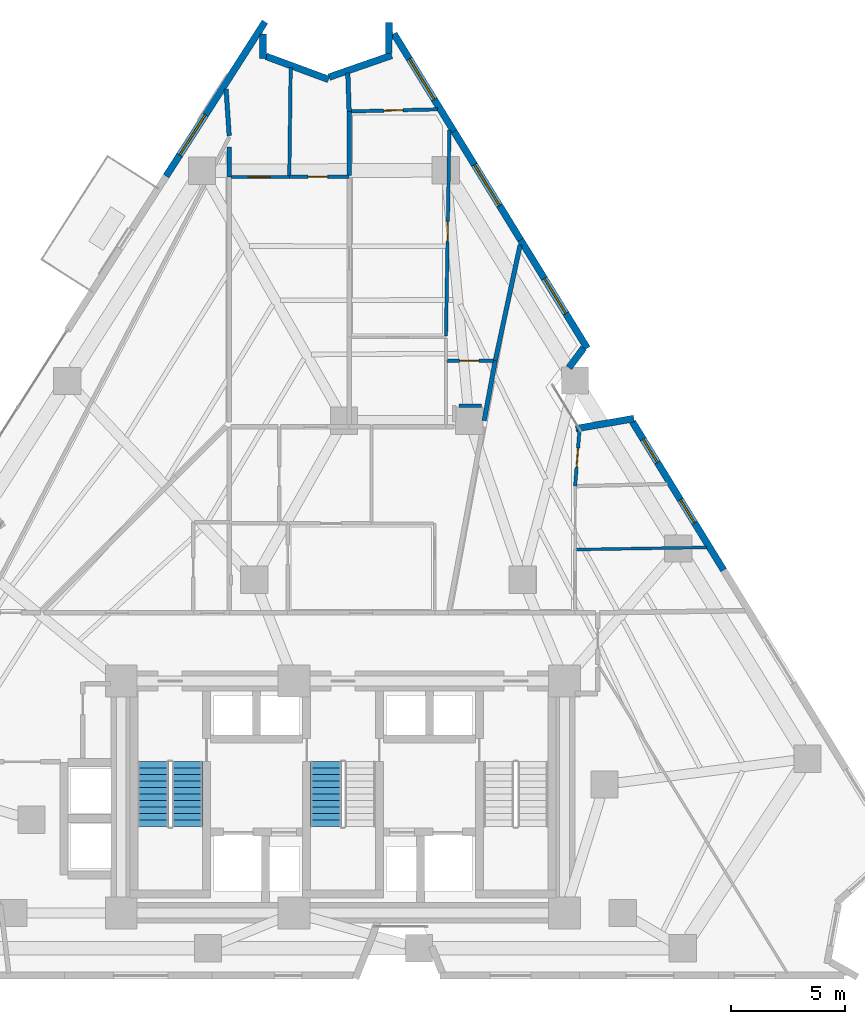
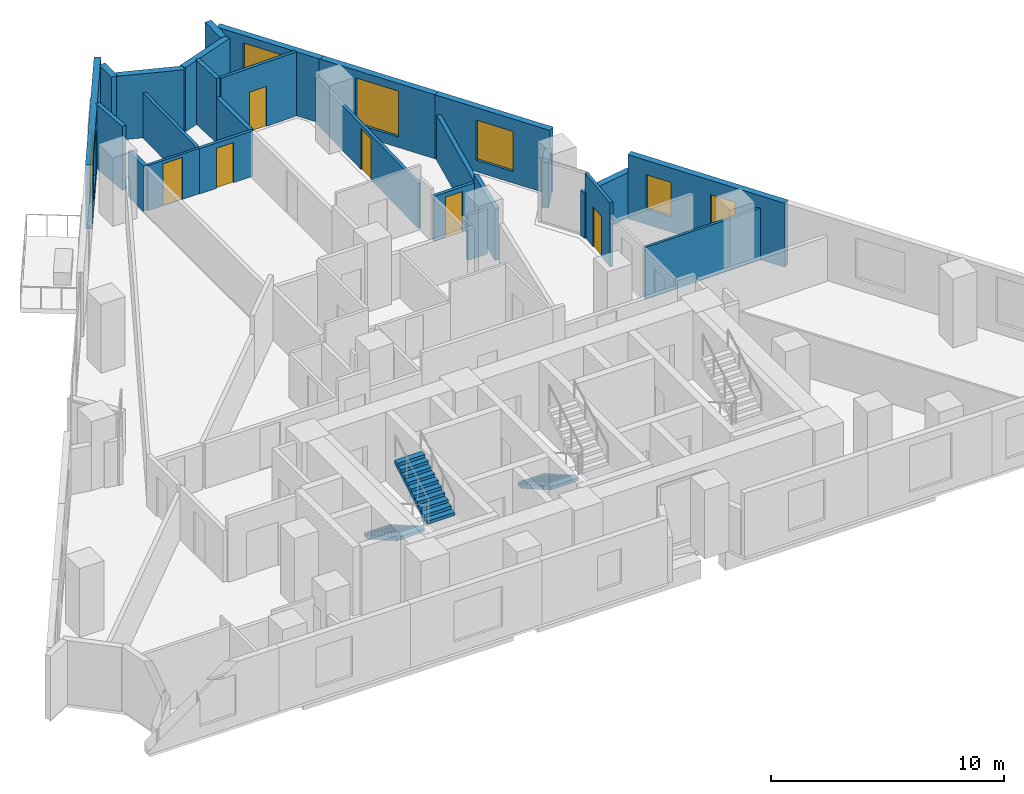
# One storey, part 9 of 13: 26 walls, 6 doors, 6 windows, 3 stair flights, 12 openings, 2 elements without a shape of their own.
"""IFC4 building model written with IfcOpenShell, lengths in metres."""

from ifc_helpers import new_model, si_unit, direction, frame, frame_2d, origin, place, context, subcontext, project, spatial, polyline, rectangle, outline, extrude, material, layer, layer_set, type_object, element, fill, aggregate, save


model = new_model("IFC4")

# Units and contexts
model_context = context("Model", 3, precision=1e-05, world=origin(), true_north=direction((0.0, 1.0)))
body_context = subcontext(model_context, "Body", "Model", "MODEL_VIEW")
ifc_project = project(units=[si_unit("LENGTHUNIT", "METRE"), si_unit("AREAUNIT", "SQUARE_METRE"), si_unit("VOLUMEUNIT", "CUBIC_METRE"), si_unit("PLANEANGLEUNIT", "RADIAN"), si_unit("MASSUNIT", "GRAM", prefix="KILO")], contexts=[model_context])

# Site, building, storey
site_placement = place(None, origin())
site = spatial("IfcSite", under=ifc_project, at=site_placement, CompositionType="ELEMENT")
building_placement = place(site_placement, origin())
building = spatial("IfcBuilding", under=site, at=building_placement, Name="Almagre Mirador Tower", CompositionType="ELEMENT")
storey_placement = place(building_placement, frame((0.0, 0.0, 82.199951171875)))
storey = spatial("IfcBuildingStorey", under=building, at=storey_placement, Name="L20", CompositionType="ELEMENT", Elevation=82.199951171875)

# Wall, opening, window
ifc_material_1 = material(Name="Precast concrete C50/60", Category="concrete")
ifc_layer_1 = layer(ifc_material_1, 0.300048828125)
ifc_layer_set_1 = layer_set([ifc_layer_1], Name="Precast concrete C50/60")
wall_type_1 = type_object("IfcWallType", Name="WAL-EXT-300", PredefinedType="SOLIDWALL", material=ifc_layer_set_1)
wall_1_placement = place(storey_placement, frame((29.523681640625, 36.955322265625, 0.0), z_axis=(0.0, 0.0, 1.0), x_axis=(0.539470626143, 0.842004420136, 0.0)))
wall_1 = element("IfcWall", 1, at=wall_1_placement, inside=storey, type_object=wall_type_1, Name="L20 expressed almagre precast frame wall 05", PredefinedType="SOLIDWALL", context=body_context, shape_type="SweptSolid", body=[
    extrude(rectangle(XDim=8.057861328125, YDim=0.300048828125, at=frame_2d((4.02880859375, 0.0))), origin(), (0.0, 0.0, 1.0), 3.35009765625),
])
opening_1_placement = place(wall_1_placement, frame((1.10009765625, 0.0, 0.550048828125)))
opening_1 = element("IfcOpeningElement", 2, at=opening_1_placement, cuts=wall_1, Name="Opening WN-05", PredefinedType="OPENING", context=body_context, shape_type="SweptSolid", body=[
    extrude(rectangle(XDim=2.10009765625, YDim=2.39990234375, at=frame_2d((1.050048828125, 1.199951171875))), frame((0.0, 0.159902, 0.0), z_axis=(0.0, -1.0, 0.0), x_axis=(1.0, 0.0, 0.0)), (0.0, 0.0, 1.0), 0.320049),
])
ifc_material_2 = material(Name="Dark solar-control laminated hurricane glass", Category="glass")
window_type_1 = type_object("IfcWindowType", Name="WIN-2100X2400", PartitioningType="DOUBLE_PANEL_VERTICAL", PredefinedType="WINDOW", material=ifc_material_2)
window_1_placement = place(opening_1_placement, origin())
window_1 = element("IfcWindow", 3, at=window_1_placement, inside=storey, type_object=window_type_1, Name="L20 recessed hurricane window L20-RST-E", OverallHeight=2.39990234375, OverallWidth=2.10009765625, PartitioningType="SINGLE_PANEL", PredefinedType="WINDOW", context=body_context, shape_type="SweptSolid", body=[
    extrude(rectangle(XDim=2.10009765625, YDim=2.39990234375, at=frame_2d((1.050048828125, 1.199951171875))), frame((0.0, 0.030029296875, 0.0), z_axis=(0.0, -1.0, 0.0), x_axis=(1.0, 0.0, 0.0)), (0.0, 0.0, 1.0), 0.06005859375),
])
fill(opening_1, window_1)

# Walls
wall_2_placement = place(storey_placement, frame((33.791015625, 43.201904296875, 0.0), z_axis=(0.0, 0.0, 1.0), x_axis=(-0.009584224316, -0.999954070267, 0.0)))
element("IfcWall", 4, at=wall_2_placement, inside=storey, type_object=wall_type_1, Name="L20 expressed almagre precast frame wall 06", PredefinedType="SOLIDWALL", context=body_context, shape_type="SweptSolid", body=[
    extrude(rectangle(XDim=1.06982421875, YDim=0.300048828125, at=frame_2d((0.534912109375, 0.0))), origin(), (0.0, 0.0, 1.0), 3.35009765625),
])
wall_3_placement = place(storey_placement, frame((33.90869140625, 42.225341796875, 0.0), z_axis=(0.0, 0.0, 1.0), x_axis=(0.938225446259, -0.346024582931, 0.0)))
element("IfcWall", 5, at=wall_3_placement, inside=storey, type_object=wall_type_1, Name="L20 expressed almagre precast frame wall 07", PredefinedType="SOLIDWALL", context=body_context, shape_type="SweptSolid", body=[
    extrude(rectangle(XDim=2.94140625, YDim=0.300048828125, at=frame_2d((1.470703125, 0.0))), origin(), (0.0, 0.0, 1.0), 3.35009765625),
])
wall_4_placement = place(storey_placement, frame((36.688232421875, 41.30859375, 0.0), z_axis=(0.0, 0.0, 1.0), x_axis=(0.944571305793, 0.328306332978, 0.0)))
element("IfcWall", 6, at=wall_4_placement, inside=storey, type_object=wall_type_1, Name="L20 expressed almagre precast frame wall 08", PredefinedType="SOLIDWALL", context=body_context, shape_type="SweptSolid", body=[
    extrude(rectangle(XDim=2.91650390625, YDim=0.300048828125, at=frame_2d((1.458251953125, 0.0))), origin(), (0.0, 0.0, 1.0), 3.35009765625),
])
wall_5_placement = place(storey_placement, frame((39.312255859375, 42.35498046875, 0.0), z_axis=(0.0, 0.0, 1.0), x_axis=(0.008828484753, 0.999961028169, 0.0)))
element("IfcWall", 7, at=wall_5_placement, inside=storey, type_object=wall_type_1, Name="L20 expressed almagre precast frame wall 09", PredefinedType="SOLIDWALL", context=body_context, shape_type="SweptSolid", body=[
    extrude(rectangle(XDim=1.35498046875, YDim=0.300048828125, at=frame_2d((0.677490234375, 0.0))), origin(), (0.0, 0.0, 1.0), 3.35009765625),
])

# Wall, opening, window
wall_6_placement = place(storey_placement, frame((39.540283203125, 43.216552734375, 0.0), z_axis=(0.0, 0.0, 1.0), x_axis=(0.52373802156, -0.851879383935, 0.0)))
wall_6 = element("IfcWall", 8, at=wall_6_placement, inside=storey, type_object=wall_type_1, Name="L20 expressed almagre precast frame wall 10", PredefinedType="SOLIDWALL", context=body_context, shape_type="SweptSolid", body=[
    extrude(rectangle(XDim=5.04150390625, YDim=0.300048828125, at=frame_2d((2.520751953125, 0.0))), origin(), (0.0, 0.0, 1.0), 3.35009765625),
])
opening_2_placement = place(wall_6_placement, frame((1.294921875, 0.0, 0.550048828125)))
opening_2 = element("IfcOpeningElement", 9, at=opening_2_placement, cuts=wall_6, Name="Opening WN-05", PredefinedType="OPENING", context=body_context, shape_type="SweptSolid", body=[
    extrude(rectangle(XDim=2.10009765625, YDim=2.39990234375, at=frame_2d((1.050048828125, 1.199951171875))), frame((0.0, 0.159902, 0.0), z_axis=(0.0, -1.0, 0.0), x_axis=(1.0, 0.0, 0.0)), (0.0, 0.0, 1.0), 0.320049),
])
window_2_placement = place(opening_2_placement, origin())
window_2 = element("IfcWindow", 10, at=window_2_placement, inside=storey, type_object=window_type_1, Name="L20 recessed hurricane window L20-UL-HB", OverallHeight=2.39990234375, OverallWidth=2.10009765625, PartitioningType="SINGLE_PANEL", PredefinedType="WINDOW", context=body_context, shape_type="SweptSolid", body=[
    extrude(rectangle(XDim=2.10009765625, YDim=2.39990234375, at=frame_2d((1.050048828125, 1.199951171875))), frame((0.0, 0.030029296875, 0.0), z_axis=(0.0, -1.0, 0.0), x_axis=(1.0, 0.0, 0.0)), (0.0, 0.0, 1.0), 0.06005859375),
])
fill(opening_2, window_2)

wall_7_placement = place(storey_placement, frame((42.15283203125, 38.967041015625, 0.0), z_axis=(0.0, 0.0, 1.0), x_axis=(0.523687465278, -0.851910464022, 0.0)))
wall_7 = element("IfcWall", 11, at=wall_7_placement, inside=storey, type_object=wall_type_1, Name="L20 expressed almagre precast frame wall 11", PredefinedType="SOLIDWALL", context=body_context, shape_type="SweptSolid", body=[
    extrude(rectangle(XDim=5.6494140625, YDim=0.300048828125, at=frame_2d((2.82470703125, 0.0))), origin(), (0.0, 0.0, 1.0), 3.35009765625),
])
opening_3_placement = place(wall_7_placement, frame((1.778076171875, 0.0, 0.550048828125)))
opening_3 = element("IfcOpeningElement", 12, at=opening_3_placement, cuts=wall_7, Name="Opening WN-05", PredefinedType="OPENING", context=body_context, shape_type="SweptSolid", body=[
    extrude(rectangle(XDim=2.10009765625, YDim=2.39990234375, at=frame_2d((1.050048828125, 1.199951171875))), frame((0.0, 0.159902, 0.0), z_axis=(0.0, -1.0, 0.0), x_axis=(1.0, 0.0, 0.0)), (0.0, 0.0, 1.0), 0.320049),
])
window_3_placement = place(opening_3_placement, origin())
window_3 = element("IfcWindow", 13, at=window_3_placement, inside=storey, type_object=window_type_1, Name="L20 recessed hurricane window L20-UL-MB", OverallHeight=2.39990234375, OverallWidth=2.10009765625, PartitioningType="SINGLE_PANEL", PredefinedType="WINDOW", context=body_context, shape_type="SweptSolid", body=[
    extrude(rectangle(XDim=2.10009765625, YDim=2.39990234375, at=frame_2d((1.050048828125, 1.199951171875))), frame((0.0, 0.030029296875, 0.0), z_axis=(0.0, -1.0, 0.0), x_axis=(1.0, 0.0, 0.0)), (0.0, 0.0, 1.0), 0.06005859375),
])
fill(opening_3, window_3)

wall_8_placement = place(storey_placement, frame((45.111328125, 34.154296875, 0.0), z_axis=(0.0, 0.0, 1.0), x_axis=(0.523710369238, -0.851896384047, 0.0)))
wall_8 = element("IfcWall", 14, at=wall_8_placement, inside=storey, type_object=wall_type_1, Name="L20 expressed almagre precast frame wall 12", PredefinedType="SOLIDWALL", context=body_context, shape_type="SweptSolid", body=[
    extrude(rectangle(XDim=5.596435546875, YDim=0.300048828125, at=frame_2d((2.79833984375, 0.0))), origin(), (0.0, 0.0, 1.0), 3.35009765625),
])
opening_4_placement = place(wall_8_placement, frame((2.0, 0.0, 0.60009765625)))
opening_4 = element("IfcOpeningElement", 15, at=opening_4_placement, cuts=wall_8, Name="Opening WN-01", PredefinedType="OPENING", context=body_context, shape_type="SweptSolid", body=[
    extrude(rectangle(XDim=1.800048828125, YDim=2.10009765625, at=frame_2d((0.89990234375, 1.050048828125))), frame((0.0, 0.159902, 0.0), z_axis=(0.0, -1.0, 0.0), x_axis=(1.0, 0.0, 0.0)), (0.0, 0.0, 1.0), 0.320049),
])
ifc_material_3 = material(Name="Dark solar-control laminated hurricane glass", Category="glass")
window_type_2 = type_object("IfcWindowType", Name="WIN-1800X2100", PartitioningType="DOUBLE_PANEL_VERTICAL", PredefinedType="WINDOW", material=ifc_material_3)
window_4_placement = place(opening_4_placement, origin())
window_4 = element("IfcWindow", 16, at=window_4_placement, inside=storey, type_object=window_type_2, Name="L20 recessed hurricane window L20-UJ-LV", OverallHeight=2.10009765625, OverallWidth=1.800048828125, PartitioningType="SINGLE_PANEL", PredefinedType="WINDOW", context=body_context, shape_type="SweptSolid", body=[
    extrude(rectangle(XDim=1.800048828125, YDim=2.10009765625, at=frame_2d((0.89990234375, 1.050048828125))), frame((0.0, 0.030029296875, 0.0), z_axis=(0.0, -1.0, 0.0), x_axis=(1.0, 0.0, 0.0)), (0.0, 0.0, 1.0), 0.06005859375),
])
fill(opening_4, window_4)

# Walls
wall_9_placement = place(storey_placement, frame((47.88525390625, 29.393798828125, 0.0), z_axis=(0.0, 0.0, 1.0), x_axis=(-0.598186461049, -0.801356947819, 0.0)))
element("IfcWall", 17, at=wall_9_placement, inside=storey, type_object=wall_type_1, Name="L20 expressed almagre precast frame wall 13", PredefinedType="SOLIDWALL", context=body_context, shape_type="SweptSolid", body=[
    extrude(rectangle(XDim=1.077880859375, YDim=0.300048828125, at=frame_2d((0.5390625, 0.0))), origin(), (0.0, 0.0, 1.0), 2.375),
])
wall_10_placement = place(storey_placement, frame((47.541015625, 25.846923828125, 0.0), z_axis=(0.0, 0.0, 1.0), x_axis=(0.985095505459, 0.172008270511, 0.0)))
element("IfcWall", 18, at=wall_10_placement, inside=storey, type_object=wall_type_1, Name="L20 expressed almagre precast frame wall 14", PredefinedType="SOLIDWALL", context=body_context, shape_type="SweptSolid", body=[
    extrude(rectangle(XDim=2.594482421875, YDim=0.300048828125, at=frame_2d((1.29736328125, 0.0))), origin(), (0.0, 0.0, 1.0), 2.375),
])

# Wall, openings, windows
wall_11_placement = place(storey_placement, frame((50.0322265625, 26.14990234375, 0.0), z_axis=(0.0, 0.0, 1.0), x_axis=(0.523673810553, -0.851918857721, 0.0)))
wall_11 = element("IfcWall", 19, at=wall_11_placement, inside=storey, type_object=wall_type_1, Name="L20 expressed almagre precast frame wall 15", PredefinedType="SOLIDWALL", context=body_context, shape_type="SweptSolid", body=[
    extrude(rectangle(XDim=7.654296875, YDim=0.300048828125, at=frame_2d((3.8271484375, 0.0))), origin(), (0.0, 0.0, 1.0), 3.35009765625),
])
opening_5_placement = place(wall_11_placement, frame((0.89501953125, 0.0, 0.800048828125)))
opening_5 = element("IfcOpeningElement", 20, at=opening_5_placement, cuts=wall_11, Name="Opening WN-04", PredefinedType="OPENING", context=body_context, shape_type="SweptSolid", body=[
    extrude(rectangle(XDim=1.199951171875, YDim=1.800048828125, at=frame_2d((0.60009765625, 0.89990234375))), frame((0.0, 0.159902, 0.0), z_axis=(0.0, -1.0, 0.0), x_axis=(1.0, 0.0, 0.0)), (0.0, 0.0, 1.0), 0.320049),
])
opening_6_placement = place(wall_11_placement, frame((4.02001953125, 0.0, 0.800048828125)))
opening_6 = element("IfcOpeningElement", 21, at=opening_6_placement, cuts=wall_11, Name="Opening WN-04", PredefinedType="OPENING", context=body_context, shape_type="SweptSolid", body=[
    extrude(rectangle(XDim=1.199951171875, YDim=1.800048828125, at=frame_2d((0.60009765625, 0.89990234375))), frame((0.0, 0.159902, 0.0), z_axis=(0.0, -1.0, 0.0), x_axis=(1.0, 0.0, 0.0)), (0.0, 0.0, 1.0), 0.320049),
])
ifc_material_4 = material(Name="Dark solar-control laminated hurricane glass", Category="glass")
window_type_3 = type_object("IfcWindowType", Name="WIN-1200X1800", PartitioningType="SINGLE_PANEL", PredefinedType="WINDOW", material=ifc_material_4)
window_5_placement = place(opening_5_placement, origin())
window_5 = element("IfcWindow", 22, at=window_5_placement, inside=storey, type_object=window_type_3, Name="L20 recessed hurricane window L20-UJ-HB", OverallHeight=1.800048828125, OverallWidth=1.199951171875, PartitioningType="SINGLE_PANEL", PredefinedType="WINDOW", context=body_context, shape_type="SweptSolid", body=[
    extrude(rectangle(XDim=1.199951171875, YDim=1.800048828125, at=frame_2d((0.60009765625, 0.89990234375))), frame((0.0, 0.030029296875, 0.0), z_axis=(0.0, -1.0, 0.0), x_axis=(1.0, 0.0, 0.0)), (0.0, 0.0, 1.0), 0.06005859375),
])
fill(opening_5, window_5)
window_6_placement = place(opening_6_placement, origin())
window_6 = element("IfcWindow", 23, at=window_6_placement, inside=storey, type_object=window_type_3, Name="L20 recessed hurricane window L20-UJ-MB", OverallHeight=1.800048828125, OverallWidth=1.199951171875, PartitioningType="SINGLE_PANEL", PredefinedType="WINDOW", context=body_context, shape_type="SweptSolid", body=[
    extrude(rectangle(XDim=1.199951171875, YDim=1.800048828125, at=frame_2d((0.60009765625, 0.89990234375))), frame((0.0, 0.030029296875, 0.0), z_axis=(0.0, -1.0, 0.0), x_axis=(1.0, 0.0, 0.0)), (0.0, 0.0, 1.0), 0.06005859375),
])
fill(opening_6, window_6)

# Wall
ifc_material_5 = material(Name="Gypsum acoustic stud partition", Category="other")
ifc_layer_2 = layer(ifc_material_5, 0.125)
ifc_layer_set_2 = layer_set([ifc_layer_2], Name="Gypsum acoustic stud partition")
wall_type_2 = type_object("IfcWallType", Name="WAL-PRT-125-UTL", PredefinedType="PARTITIONING", material=ifc_layer_set_2)
wall_12_placement = place(storey_placement, frame((53.298095703125, 20.625, 0.0), z_axis=(0.0, 0.0, 1.0), x_axis=(-0.9998645785, -0.016456751239, 0.0)))
element("IfcWall", 24, at=wall_12_placement, inside=storey, type_object=wall_type_2, Name="L20 interior partition 057", PredefinedType="PARTITIONING", context=body_context, shape_type="SweptSolid", body=[
    extrude(rectangle(XDim=5.7412109375, YDim=0.125, at=frame_2d((2.87060546875, 0.0))), origin(), (0.0, 0.0, 1.0), 2.708984375),
])

# Wall, opening, door
wall_13_placement = place(storey_placement, frame((34.93994140625, 36.919921875, 0.0), z_axis=(0.0, 0.0, 1.0), x_axis=(-1.0, 0.0, 0.0)))
wall_13 = element("IfcWall", 25, at=wall_13_placement, inside=storey, type_object=wall_type_2, Name="L20 interior partition 058", PredefinedType="PARTITIONING", context=body_context, shape_type="SweptSolid", body=[
    extrude(rectangle(XDim=2.554931640625, YDim=0.125, at=frame_2d((1.27734375, 0.0))), origin(), (0.0, 0.0, 1.0), 2.3701171875),
])
opening_7_placement = place(wall_13_placement, frame((0.844970703125, 0.0, 0.0)))
opening_7 = element("IfcOpeningElement", 26, at=opening_7_placement, cuts=wall_13, Name="Opening UD-01", PredefinedType="OPENING", context=body_context, shape_type="SweptSolid", body=[
    extrude(rectangle(XDim=0.949951171875, YDim=2.199951171875, at=frame_2d((0.47509765625, 1.10009765625))), frame((0.0, 0.0725, 0.0), z_axis=(0.0, -1.0, 0.0), x_axis=(1.0, 0.0, 0.0)), (0.0, 0.0, 1.0), 0.145),
])
ifc_material_6 = material(Name="Solid American walnut timber", Category="wood")
door_type_1 = type_object("IfcDoorType", Name="DOR-UNR-950X2200", OperationType="NOTDEFINED", PredefinedType="DOOR", material=ifc_material_6)
door_1_placement = place(opening_7_placement, origin())
door_1 = element("IfcDoor", 27, at=door_1_placement, inside=storey, type_object=door_type_1, Name="DR-0696 L20 interior door L20-UK-ST to L20-UK-KT", OperationType="SINGLE_SWING_RIGHT", OverallHeight=2.199951171875, OverallWidth=0.949951171875, PredefinedType="DOOR", context=body_context, shape_type="SweptSolid", body=[
    extrude(rectangle(XDim=0.949951171875, YDim=2.199951171875, at=frame_2d((0.47509765625, 1.10009765625))), frame((0.0, 0.02490234375, 0.0), z_axis=(0.0, -1.0, 0.0), x_axis=(1.0, 0.0, 0.0)), (0.0, 0.0, 1.0), 0.050048828125),
])
fill(opening_7, door_1)

ifc_material_7 = material(Name="Gypsum acoustic stud partition", Category="other")
ifc_layer_3 = layer(ifc_material_7, 0.14990234375)
ifc_layer_set_3 = layer_set([ifc_layer_3], Name="Gypsum acoustic stud partition")
wall_type_3 = type_object("IfcWallType", Name="WAL-PRT-150-STD", PredefinedType="PARTITIONING", material=ifc_layer_set_3)
wall_14_placement = place(storey_placement, frame((47.510009765625, 23.320068359375, 0.0), z_axis=(0.0, 0.0, 1.0), x_axis=(0.077275386284, 0.997009786649, 0.0)))
wall_14 = element("IfcWall", 28, at=wall_14_placement, inside=storey, type_object=wall_type_3, Name="L20 interior partition 051", PredefinedType="PARTITIONING", context=body_context, shape_type="SweptSolid", body=[
    extrude(rectangle(XDim=2.483154296875, YDim=0.14990234375, at=frame_2d((1.24169921875, 0.0))), origin(), (0.0, 0.0, 1.0), 3.35009765625),
])
opening_8_placement = place(wall_14_placement, frame((0.828125, 0.0, 0.0)))
opening_8 = element("IfcOpeningElement", 29, at=opening_8_placement, cuts=wall_14, Name="Opening UD-04", PredefinedType="OPENING", context=body_context, shape_type="SweptSolid", body=[
    extrude(rectangle(XDim=0.85009765625, YDim=2.10009765625, at=frame_2d((0.425048828125, 1.050048828125))), frame((0.0, 0.084951, 0.0), z_axis=(0.0, -1.0, 0.0), x_axis=(1.0, 0.0, 0.0)), (0.0, 0.0, 1.0), 0.169902),
])
ifc_material_8 = material(Name="Moisture-resistant oak timber", Category="wood")
door_type_2 = type_object("IfcDoorType", Name="DOR-UNR-850X2100", OperationType="NOTDEFINED", PredefinedType="DOOR", material=ifc_material_8)
door_2_placement = place(opening_8_placement, origin())
door_2 = element("IfcDoor", 30, at=door_2_placement, inside=storey, type_object=door_type_2, Name="DR-0694 L20 interior door L20-UJ-LV to L20-UJ-HB", OperationType="SINGLE_SWING_RIGHT", OverallHeight=2.10009765625, OverallWidth=0.85009765625, PredefinedType="DOOR", context=body_context, shape_type="SweptSolid", body=[
    extrude(rectangle(XDim=0.85009765625, YDim=2.10009765625, at=frame_2d((0.425048828125, 1.050048828125))), frame((0.0, 0.02490234375, 0.0), z_axis=(0.0, -1.0, 0.0), x_axis=(1.0, 0.0, 0.0)), (0.0, 0.0, 1.0), 0.050048828125),
])
fill(opening_8, door_2)

wall_15_placement = place(storey_placement, frame((37.570068359375, 36.919921875, 0.0), z_axis=(0.0, 0.0, 1.0), x_axis=(-1.0, 0.0, 0.0)))
wall_15 = element("IfcWall", 31, at=wall_15_placement, inside=storey, type_object=wall_type_3, Name="L20 interior partition 059", PredefinedType="PARTITIONING", context=body_context, shape_type="SweptSolid", body=[
    extrude(rectangle(XDim=2.630126953125, YDim=0.14990234375, at=frame_2d((1.31494140625, 0.0))), origin(), (0.0, 0.0, 1.0), 2.3701171875),
])
opening_9_placement = place(wall_15_placement, frame((0.94775390625, 0.0, 0.0)))
opening_9 = element("IfcOpeningElement", 32, at=opening_9_placement, cuts=wall_15, Name="Opening UD-04", PredefinedType="OPENING", context=body_context, shape_type="SweptSolid", body=[
    extrude(rectangle(XDim=0.85009765625, YDim=2.10009765625, at=frame_2d((0.425048828125, 1.050048828125))), frame((0.0, 0.084951, 0.0), z_axis=(0.0, -1.0, 0.0), x_axis=(1.0, 0.0, 0.0)), (0.0, 0.0, 1.0), 0.169902),
])
door_3_placement = place(opening_9_placement, origin())
door_3 = element("IfcDoor", 33, at=door_3_placement, inside=storey, type_object=door_type_2, Name="DR-0697 L20 interior door L20-UK-ST to L20-UK-BT", OperationType="SINGLE_SWING_LEFT", OverallHeight=2.10009765625, OverallWidth=0.85009765625, PredefinedType="DOOR", context=body_context, shape_type="SweptSolid", body=[
    extrude(rectangle(XDim=0.85009765625, YDim=2.10009765625, at=frame_2d((0.425048828125, 1.050048828125))), frame((0.0, 0.02490234375, 0.0), z_axis=(0.0, -1.0, 0.0), x_axis=(1.0, 0.0, 0.0)), (0.0, 0.0, 1.0), 0.050048828125),
])
fill(opening_9, door_3)

# Wall
wall_16_placement = place(storey_placement, frame((34.9404296875, 36.967529296875, 0.0), z_axis=(0.0, 0.0, 1.0), x_axis=(0.012728014725, 0.99991899554, 0.0)))
element("IfcWall", 34, at=wall_16_placement, inside=storey, type_object=wall_type_3, Name="L20 interior partition 062", PredefinedType="PARTITIONING", context=body_context, shape_type="SweptSolid", body=[
    extrude(rectangle(XDim=4.757080078125, YDim=0.14990234375, at=frame_2d((2.37841796875, 0.0))), origin(), (0.0, 0.0, 1.0), 2.3701171875),
])

# Wall, opening, door
wall_17_placement = place(storey_placement, frame((41.448974609375, 39.89111328125, 0.0), z_axis=(0.0, 0.0, 1.0), x_axis=(-0.999721247685, -0.02360989047, 0.0)))
wall_17 = element("IfcWall", 35, at=wall_17_placement, inside=storey, type_object=wall_type_3, Name="L20 interior partition 065", PredefinedType="PARTITIONING", context=body_context, shape_type="SweptSolid", body=[
    extrude(rectangle(XDim=3.794921875, YDim=0.14990234375, at=frame_2d((1.8974609375, 0.0))), origin(), (0.0, 0.0, 1.0), 3.35009765625),
])
opening_10_placement = place(wall_17_placement, frame((1.505615234375, 0.0, 0.0)))
opening_10 = element("IfcOpeningElement", 36, at=opening_10_placement, cuts=wall_17, Name="Opening UD-04", PredefinedType="OPENING", context=body_context, shape_type="SweptSolid", body=[
    extrude(rectangle(XDim=0.85009765625, YDim=2.10009765625, at=frame_2d((0.425048828125, 1.050048828125))), frame((0.0, 0.084951, 0.0), z_axis=(0.0, -1.0, 0.0), x_axis=(1.0, 0.0, 0.0)), (0.0, 0.0, 1.0), 0.169902),
])
door_4_placement = place(opening_10_placement, origin())
door_4 = element("IfcDoor", 37, at=door_4_placement, inside=storey, type_object=door_type_2, Name="DR-0699 L20 interior door L20-UL-LV to L20-UL-HB", OperationType="SINGLE_SWING_LEFT", OverallHeight=2.10009765625, OverallWidth=0.85009765625, PredefinedType="DOOR", context=body_context, shape_type="SweptSolid", body=[
    extrude(rectangle(XDim=0.85009765625, YDim=2.10009765625, at=frame_2d((0.425048828125, 1.050048828125))), frame((0.0, 0.02490234375, 0.0), z_axis=(0.0, -1.0, 0.0), x_axis=(1.0, 0.0, 0.0)), (0.0, 0.0, 1.0), 0.050048828125),
])
fill(opening_10, door_4)

wall_18_placement = place(storey_placement, frame((41.83056640625, 29.91748046875, 0.0), z_axis=(0.0, 0.0, 1.0), x_axis=(0.016599696118, 0.999862215552, 0.0)))
wall_18 = element("IfcWall", 38, at=wall_18_placement, inside=storey, type_object=wall_type_3, Name="L20 interior partition 067", PredefinedType="PARTITIONING", context=body_context, shape_type="SweptSolid", body=[
    extrude(rectangle(XDim=9.059814453125, YDim=0.14990234375, at=frame_2d((4.52978515625, 0.0))), origin(), (0.0, 0.0, 1.0), 2.344970703125),
])
opening_11_placement = place(wall_18_placement, frame((4.151611328125, 0.0, 0.0)))
opening_11 = element("IfcOpeningElement", 39, at=opening_11_placement, cuts=wall_18, Name="Opening UD-02", PredefinedType="OPENING", context=body_context, shape_type="SweptSolid", body=[
    extrude(rectangle(XDim=0.89990234375, YDim=2.14990234375, at=frame_2d((0.449951171875, 1.074951171875))), frame((0.0, 0.084951, 0.0), z_axis=(0.0, -1.0, 0.0), x_axis=(1.0, 0.0, 0.0)), (0.0, 0.0, 1.0), 0.169902),
])
ifc_material_9 = material(Name="Solid American walnut timber", Category="wood")
door_type_3 = type_object("IfcDoorType", Name="DOR-UNR-900X2150", OperationType="NOTDEFINED", PredefinedType="DOOR", material=ifc_material_9)
door_5_placement = place(opening_11_placement, origin())
door_5 = element("IfcDoor", 40, at=door_5_placement, inside=storey, type_object=door_type_3, Name="DR-0700 L20 interior door L20-UL-LV to L20-UL-MB", OperationType="SINGLE_SWING_RIGHT", OverallHeight=2.14990234375, OverallWidth=0.89990234375, PredefinedType="DOOR", context=body_context, shape_type="SweptSolid", body=[
    extrude(rectangle(XDim=0.89990234375, YDim=2.14990234375, at=frame_2d((0.449951171875, 1.074951171875))), frame((0.0, 0.02490234375, 0.0), z_axis=(0.0, -1.0, 0.0), x_axis=(1.0, 0.0, 0.0)), (0.0, 0.0, 1.0), 0.050048828125),
])
fill(opening_11, door_5)

wall_19_placement = place(storey_placement, frame((41.87744140625, 28.840087890625, 0.0), z_axis=(0.0, 0.0, 1.0), x_axis=(1.0, 0.0, 0.0)))
wall_19 = element("IfcWall", 41, at=wall_19_placement, inside=storey, type_object=wall_type_3, Name="L20 interior partition 070", PredefinedType="PARTITIONING", context=body_context, shape_type="SweptSolid", body=[
    extrude(rectangle(XDim=2.03759765625, YDim=0.14990234375, at=frame_2d((1.018798828125, 0.0))), origin(), (0.0, 0.0, 1.0), 2.344970703125),
])
opening_12_placement = place(wall_19_placement, frame((0.5546875, 0.0, 0.0)))
opening_12 = element("IfcOpeningElement", 42, at=opening_12_placement, cuts=wall_19, Name="Opening UD-04", PredefinedType="OPENING", context=body_context, shape_type="SweptSolid", body=[
    extrude(rectangle(XDim=0.85009765625, YDim=2.10009765625, at=frame_2d((0.425048828125, 1.050048828125))), frame((0.0, 0.084951, 0.0), z_axis=(0.0, -1.0, 0.0), x_axis=(1.0, 0.0, 0.0)), (0.0, 0.0, 1.0), 0.169902),
])
door_6_placement = place(opening_12_placement, origin())
door_6 = element("IfcDoor", 43, at=door_6_placement, inside=storey, type_object=door_type_2, Name="DR-0701 L20 interior door L20-UL-MB to L20-UL-EN", OperationType="SINGLE_SWING_LEFT", OverallHeight=2.10009765625, OverallWidth=0.85009765625, PredefinedType="DOOR", context=body_context, shape_type="SweptSolid", body=[
    extrude(rectangle(XDim=0.85009765625, YDim=2.10009765625, at=frame_2d((0.425048828125, 1.050048828125))), frame((0.0, 0.02490234375, 0.0), z_axis=(0.0, -1.0, 0.0), x_axis=(1.0, 0.0, 0.0)), (0.0, 0.0, 1.0), 0.050048828125),
])
fill(opening_12, door_6)

# Walls
wall_20_placement = place(storey_placement, frame((42.405029296875, 26.860107421875, 0.0), z_axis=(0.0, 0.0, 1.0), x_axis=(1.0, 0.0, 0.0)))
element("IfcWall", 44, at=wall_20_placement, inside=storey, type_object=wall_type_3, Name="L20 interior partition 073", PredefinedType="PARTITIONING", context=body_context, shape_type="SweptSolid", body=[
    extrude(rectangle(XDim=0.98291015625, YDim=0.14990234375, at=frame_2d((0.491455078125, 0.0))), origin(), (0.0, 0.0, 1.0), 2.344970703125),
])
ifc_material_10 = material(Name="Gypsum acoustic stud partition", Category="other")
ifc_layer_4 = layer(ifc_material_10, 0.199951171875)
ifc_layer_set_4 = layer_set([ifc_layer_4], Name="Gypsum acoustic stud partition")
wall_type_4 = type_object("IfcWallType", Name="WAL-PRT-200-EI60", PredefinedType="PARTITIONING", material=ifc_layer_set_4)
wall_21_placement = place(storey_placement, frame((32.296875, 38.72998046875, 0.0), z_axis=(0.0, 0.0, 1.0), x_axis=(-0.066629370629, 0.997777794386, 0.0)))
element("IfcWall", 45, at=wall_21_placement, inside=storey, type_object=wall_type_4, Name="L20 interior partition 026", PredefinedType="PARTITIONING", context=body_context, shape_type="SweptSolid", body=[
    extrude(rectangle(XDim=2.0556640625, YDim=0.199951171875, at=frame_2d((1.02783203125, 0.0))), origin(), (0.0, 0.0, 1.0), 3.35009765625),
])
wall_22_placement = place(storey_placement, frame((32.300048828125, 36.919921875, 0.0), z_axis=(0.0, 0.0, 1.0), x_axis=(0.0, 1.0, 0.0)))
element("IfcWall", 46, at=wall_22_placement, inside=storey, type_object=wall_type_4, Name="L20 interior partition 036", PredefinedType="PARTITIONING", context=body_context, shape_type="SweptSolid", body=[
    extrude(rectangle(XDim=1.3173828125, YDim=0.199951171875, at=frame_2d((0.65869140625, 0.0))), origin(), (0.0, 0.0, 1.0), 2.3701171875),
])
wall_23_placement = place(storey_placement, frame((45.093017578125, 33.931884765625, 0.0), z_axis=(0.0, 0.0, 1.0), x_axis=(-0.209881245986, -0.977726885476, 0.0)))
element("IfcWall", 47, at=wall_23_placement, inside=storey, type_object=wall_type_4, Name="L20 interior partition 054", PredefinedType="PARTITIONING", context=body_context, shape_type="SweptSolid", body=[
    extrude(rectangle(XDim=5.207763671875, YDim=0.199951171875, at=frame_2d((2.60400390625, 0.0))), origin(), (0.0, 0.0, 1.0), 2.3701171875),
])
wall_24_placement = place(storey_placement, frame((44.0, 28.840087890625, 0.0), z_axis=(0.0, 0.0, 1.0), x_axis=(-0.18247668152, -0.983210181345, 0.0)))
element("IfcWall", 48, at=wall_24_placement, inside=storey, type_object=wall_type_4, Name="L20 interior partition 055", PredefinedType="PARTITIONING", context=body_context, shape_type="SweptSolid", body=[
    extrude(rectangle(XDim=2.685302734375, YDim=0.199951171875, at=frame_2d((1.3427734375, 0.0))), origin(), (0.0, 0.0, 1.0), 2.708984375),
])
wall_25_placement = place(storey_placement, frame((37.570068359375, 36.97998046875, 0.0), z_axis=(0.0, 0.0, 1.0), x_axis=(0.0, 1.0, 0.0)))
element("IfcWall", 49, at=wall_25_placement, inside=storey, type_object=wall_type_4, Name="L20 interior partition 063", PredefinedType="PARTITIONING", context=body_context, shape_type="SweptSolid", body=[
    extrude(rectangle(XDim=2.820068359375, YDim=0.199951171875, at=frame_2d((1.41015625, 0.0))), origin(), (0.0, 0.0, 1.0), 2.3701171875),
])
wall_26_placement = place(storey_placement, frame((37.570068359375, 39.800048828125, 0.0), z_axis=(0.0, 0.0, 1.0), x_axis=(-0.033089686033, 0.999452386399, 0.0)))
element("IfcWall", 50, at=wall_26_placement, inside=storey, type_object=wall_type_4, Name="L20 interior partition 064", PredefinedType="PARTITIONING", context=body_context, shape_type="SweptSolid", body=[
    extrude(rectangle(XDim=1.697021484375, YDim=0.199951171875, at=frame_2d((0.8486328125, 0.0))), origin(), (0.0, 0.0, 1.0), 3.35009765625),
])

# Stair, stair flights
ifc_material_11 = material(Name="Concrete C45/55", Category="concrete")
stair_type = type_object("IfcStairType", Name="STR-DL-3600", PredefinedType="HALF_TURN_STAIR", material=ifc_material_11)
stair_1_placement = place(storey_placement, origin())
stair_1 = element("IfcStair", 51, at=stair_1_placement, inside=storey, type_object=stair_type, Name="L20 Protected exit stair ST-1", PredefinedType="HALF_TURN_STAIR")
ifc_material_12 = material(Name="Concrete C45/55", Category="concrete")
stair_flight_type = type_object("IfcStairFlightType", Name="FLT-DL-3600", PredefinedType="STRAIGHT", material=ifc_material_12)
stair_flight_1_placement = place(storey_placement, frame((28.949951171875, 11.199951171875, 0.0), z_axis=(0.0, 0.0, 1.0), x_axis=(0.0, -1.0, 0.0)))
stair_flight_1 = element("IfcStairFlight", 52, at=stair_flight_1_placement, type_object=stair_flight_type, Name="ST-1 flight 1", NumberOfRisers=11, NumberOfTreads=10, PredefinedType="STRAIGHT", RiserHeight=0.163636364, TreadLength=0.285, context=body_context, shape_type="SweptSolid", body=[
    extrude(outline(polyline([(0.0, 0.0), (0.0, 0.16357421875), (0.284912109375, 0.16357421875), (0.284912109375, 0.327392578125), (0.570068359375, 0.327392578125), (0.570068359375, 0.490966796875), (0.85498046875, 0.490966796875), (0.85498046875, 0.654541015625), (1.139892578125, 0.654541015625), (1.139892578125, 0.818115234375), (1.425048828125, 0.818115234375), (1.425048828125, 0.98193359375), (1.7099609375, 0.98193359375), (1.7099609375, 1.1455078125), (1.9951171875, 1.1455078125), (1.9951171875, 1.30908203125), (2.280029296875, 1.30908203125), (2.280029296875, 1.47265625), (2.56494140625, 1.47265625), (2.56494140625, 1.636474609375), (2.85009765625, 1.636474609375), (2.85009765625, 1.800048828125), (2.85009765625, 1.463623046875), (0.301025390625, 0.0), (0.0, 0.0)])), frame((0.0, 0.675048828125, 0.0), z_axis=(0.0, -1.0, 0.0), x_axis=(1.0, 0.0, 0.0)), (0.0, 0.0, 1.0), 1.35009765625),
])
stair_flight_2_placement = place(storey_placement, frame((30.449951171875, 8.35009765625, 1.800048828125), z_axis=(0.0, 0.0, 1.0), x_axis=(0.0, 1.0, 0.0)))
stair_flight_2 = element("IfcStairFlight", 53, at=stair_flight_2_placement, type_object=stair_flight_type, Name="ST-1 flight 2", NumberOfRisers=11, NumberOfTreads=10, PredefinedType="STRAIGHT", RiserHeight=0.163636364, TreadLength=0.285, context=body_context, shape_type="SweptSolid", body=[
    extrude(outline(polyline([(0.0, 0.0), (0.0, 0.16357421875), (0.284912109375, 0.16357421875), (0.284912109375, 0.327392578125), (0.570068359375, 0.327392578125), (0.570068359375, 0.490966796875), (0.85498046875, 0.490966796875), (0.85498046875, 0.654541015625), (1.139892578125, 0.654541015625), (1.139892578125, 0.818115234375), (1.425048828125, 0.818115234375), (1.425048828125, 0.98193359375), (1.7099609375, 0.98193359375), (1.7099609375, 1.1455078125), (1.9951171875, 1.1455078125), (1.9951171875, 1.30908203125), (2.280029296875, 1.30908203125), (2.280029296875, 1.47265625), (2.56494140625, 1.47265625), (2.56494140625, 1.636474609375), (2.85009765625, 1.636474609375), (2.85009765625, 1.800048828125), (2.85009765625, 1.463623046875), (0.301025390625, 0.0), (0.0, 0.0)])), frame((0.0, 0.675048828125, 0.0), z_axis=(0.0, -1.0, 0.0), x_axis=(1.0, 0.0, 0.0)), (0.0, 0.0, 1.0), 1.35009765625),
])
aggregate(stair_1, [stair_flight_1, stair_flight_2])

# Stair, stair flight
stair_2_placement = place(storey_placement, origin())
stair_2 = element("IfcStair", 54, at=stair_2_placement, inside=storey, type_object=stair_type, Name="L20 Protected exit stair ST-2", PredefinedType="HALF_TURN_STAIR")
stair_flight_3_placement = place(storey_placement, frame((36.550048828125, 11.199951171875, 0.0), z_axis=(0.0, 0.0, 1.0), x_axis=(0.0, -1.0, 0.0)))
stair_flight_3 = element("IfcStairFlight", 55, at=stair_flight_3_placement, type_object=stair_flight_type, Name="ST-2 flight 1", NumberOfRisers=11, NumberOfTreads=10, PredefinedType="STRAIGHT", RiserHeight=0.163636364, TreadLength=0.285, context=body_context, shape_type="SweptSolid", body=[
    extrude(outline(polyline([(0.0, 0.0), (0.0, 0.16357421875), (0.284912109375, 0.16357421875), (0.284912109375, 0.327392578125), (0.570068359375, 0.327392578125), (0.570068359375, 0.490966796875), (0.85498046875, 0.490966796875), (0.85498046875, 0.654541015625), (1.139892578125, 0.654541015625), (1.139892578125, 0.818115234375), (1.425048828125, 0.818115234375), (1.425048828125, 0.98193359375), (1.7099609375, 0.98193359375), (1.7099609375, 1.1455078125), (1.9951171875, 1.1455078125), (1.9951171875, 1.30908203125), (2.280029296875, 1.30908203125), (2.280029296875, 1.47265625), (2.56494140625, 1.47265625), (2.56494140625, 1.636474609375), (2.85009765625, 1.636474609375), (2.85009765625, 1.800048828125), (2.85009765625, 1.463623046875), (0.301025390625, 0.0), (0.0, 0.0)])), frame((0.0, 0.675048828125, 0.0), z_axis=(0.0, -1.0, 0.0), x_axis=(1.0, 0.0, 0.0)), (0.0, 0.0, 1.0), 1.35009765625),
])
aggregate(stair_2, [stair_flight_3])

save(model, "model.ifc")
